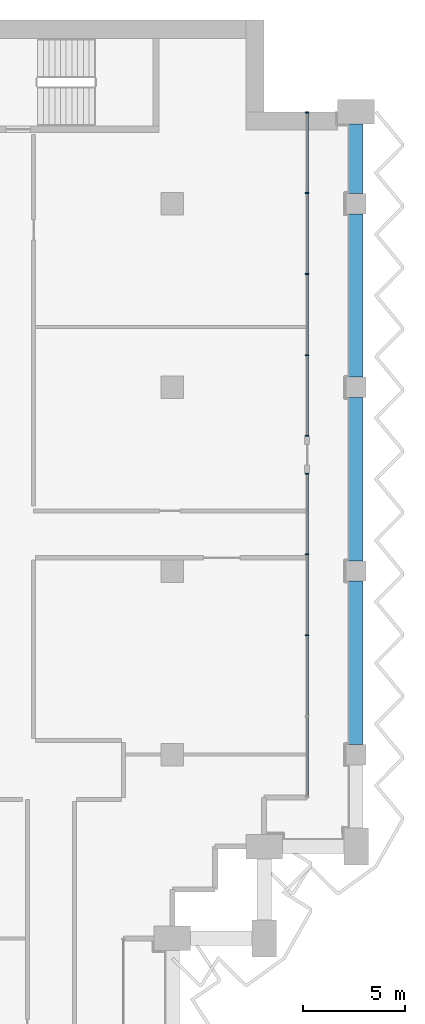
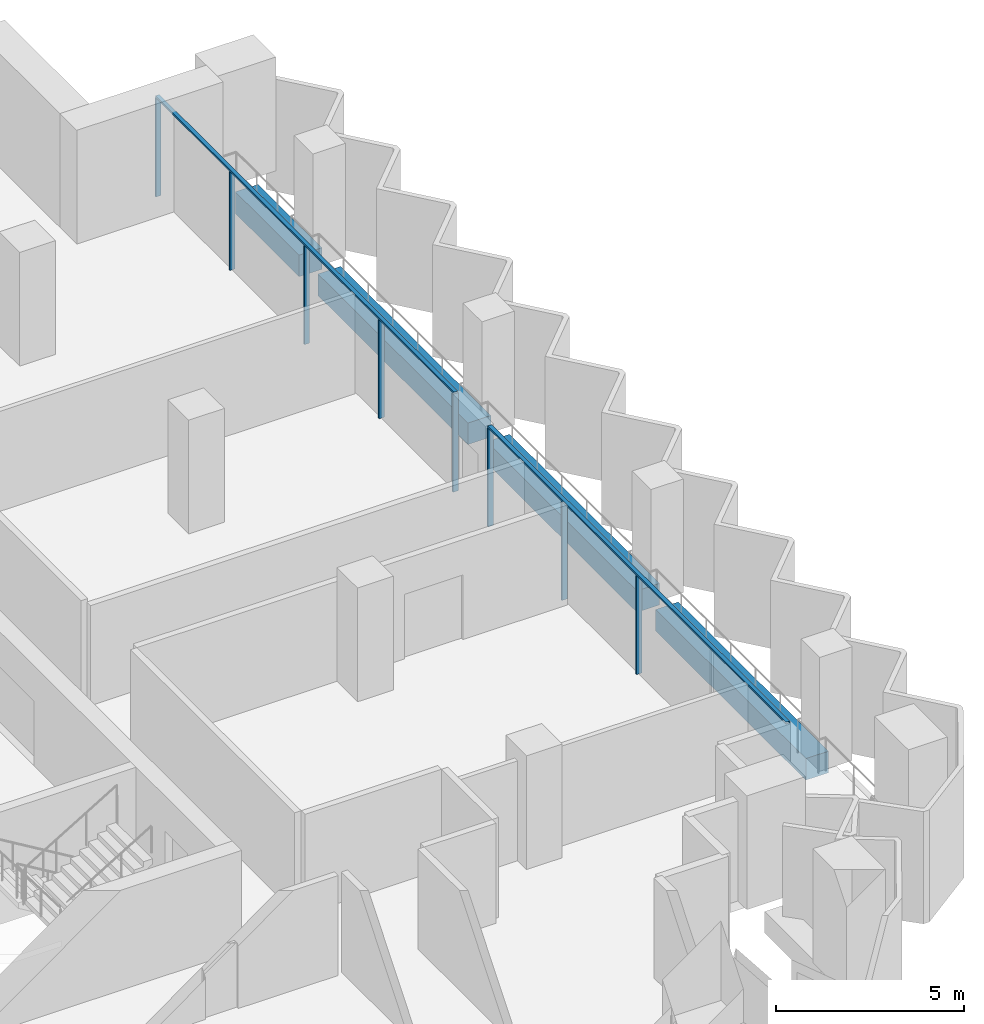
# One storey, part 6 of 18: 10 members, 4 beams, 2 elements without a shape of their own.
"""IFC4 building model written with IfcOpenShell, lengths in metres."""

from ifc_helpers import new_model, si_unit, direction, frame, origin, origin_2d, place, context, subcontext, project, spatial, rectangle, extrude, material, material_profile, profile_set, type_object, element, aggregate, save


model = new_model("IFC4")

# Units and contexts
model_context = context("Model", 3, precision=1e-05, world=origin(), true_north=direction((0.0, 1.0)))
body_context = subcontext(model_context, "Body", "Model", "MODEL_VIEW")
ifc_project = project(units=[si_unit("LENGTHUNIT", "METRE"), si_unit("AREAUNIT", "SQUARE_METRE"), si_unit("VOLUMEUNIT", "CUBIC_METRE"), si_unit("PLANEANGLEUNIT", "RADIAN"), si_unit("MASSUNIT", "GRAM", prefix="KILO")], contexts=[model_context])

# Site, building, storey
site_placement = place(None, origin())
site = spatial("IfcSite", under=ifc_project, at=site_placement, CompositionType="ELEMENT")
building_placement = place(site_placement, origin())
building = spatial("IfcBuilding", under=site, at=building_placement, Name="Hunhe Ridgeline Campus", CompositionType="ELEMENT")
storey_placement = place(building_placement, frame((0.0, 0.0, 223.5)))
storey = spatial("IfcBuildingStorey", under=building, at=storey_placement, Name="L57", CompositionType="ELEMENT", Elevation=223.5)

# Curtain wall, members
ifc_material_1 = material(Name="Aluminium 6063", Category="aluminium")
curtain_wall_type = type_object("IfcCurtainWallType", Name="Curtain wall CW-1", PredefinedType="NOTDEFINED", material=ifc_material_1)
curtain_wall_1_placement = place(storey_placement, origin())
curtain_wall_1 = element("IfcCurtainWall", 1, at=curtain_wall_1_placement, inside=storey, type_object=curtain_wall_type, Name="Curtain wall 12", PredefinedType="NOTDEFINED")
ifc_material_profile_1 = material_profile(ifc_material_1, rectangle(XDim=0.159912109375, YDim=0.06005859375, at=origin_2d()))
ifc_profile_set_1 = profile_set([ifc_material_profile_1], Name="Aluminium 6063")
member_type_1 = type_object("IfcMemberType", Name="CW-1 aluminium mullion", PredefinedType="MULLION", material=ifc_profile_set_1)
member_1_placement = place(storey_placement, frame((51.59912109375, 68.850830078125, 0.0), z_axis=(0.0, 0.0, 1.0), x_axis=(-1.0, 0.0, 0.0)))
member_1 = element("IfcMember", 2, at=member_1_placement, type_object=member_type_1, Name="CW-1 mullion 3", PredefinedType="MULLION", context=body_context, shape_type="SweptSolid", body=[
    extrude(rectangle(XDim=0.159912109375, YDim=0.06005859375, at=origin_2d()), origin(), (0.0, 0.0, 1.0), 3.18994140625),
])
member_2_placement = place(storey_placement, frame((51.59912109375, 72.82568359375, 0.0), z_axis=(0.0, 0.0, 1.0), x_axis=(-1.0, 0.0, 0.0)))
member_2 = element("IfcMember", 3, at=member_2_placement, type_object=member_type_1, Name="CW-1 mullion 4", PredefinedType="MULLION", context=body_context, shape_type="SweptSolid", body=[
    extrude(rectangle(XDim=0.159912109375, YDim=0.06005859375, at=origin_2d()), origin(), (0.0, 0.0, 1.0), 3.18994140625),
])
member_3_placement = place(storey_placement, frame((51.59912109375, 76.7705078125, 0.0), z_axis=(0.0, 0.0, 1.0), x_axis=(-1.0, 0.0, 0.0)))
member_3 = element("IfcMember", 4, at=member_3_placement, type_object=member_type_1, Name="CW-1 mullion 5", PredefinedType="MULLION", context=body_context, shape_type="SweptSolid", body=[
    extrude(rectangle(XDim=0.159912109375, YDim=0.06005859375, at=origin_2d()), origin(), (0.0, 0.0, 1.0), 3.18994140625),
])

curtain_wall_2_placement = place(storey_placement, origin())
curtain_wall_2 = element("IfcCurtainWall", 5, at=curtain_wall_2_placement, inside=storey, type_object=curtain_wall_type, Name="Curtain wall 13", PredefinedType="NOTDEFINED")
member_4_placement = place(storey_placement, frame((51.59912109375, 78.630615234375, 0.0), z_axis=(0.0, 0.0, 1.0), x_axis=(-1.0, 0.0, 0.0)))
member_4 = element("IfcMember", 6, at=member_4_placement, type_object=member_type_1, Name="CW-1 mullion 1", PredefinedType="MULLION", context=body_context, shape_type="SweptSolid", body=[
    extrude(rectangle(XDim=0.159912109375, YDim=0.06005859375, at=origin_2d()), origin(), (0.0, 0.0, 1.0), 3.18994140625),
])
member_5_placement = place(storey_placement, frame((51.59912109375, 82.575439453125, 0.0), z_axis=(0.0, 0.0, 1.0), x_axis=(-1.0, 0.0, 0.0)))
member_5 = element("IfcMember", 7, at=member_5_placement, type_object=member_type_1, Name="CW-1 mullion 2", PredefinedType="MULLION", context=body_context, shape_type="SweptSolid", body=[
    extrude(rectangle(XDim=0.159912109375, YDim=0.06005859375, at=origin_2d()), origin(), (0.0, 0.0, 1.0), 3.18994140625),
])
member_6_placement = place(storey_placement, frame((51.59912109375, 86.55029296875, 0.0), z_axis=(0.0, 0.0, 1.0), x_axis=(-1.0, 0.0, 0.0)))
member_6 = element("IfcMember", 8, at=member_6_placement, type_object=member_type_1, Name="CW-1 mullion 3", PredefinedType="MULLION", context=body_context, shape_type="SweptSolid", body=[
    extrude(rectangle(XDim=0.159912109375, YDim=0.06005859375, at=origin_2d()), origin(), (0.0, 0.0, 1.0), 3.18994140625),
])
member_7_placement = place(storey_placement, frame((51.59912109375, 90.525146484375, 0.0), z_axis=(0.0, 0.0, 1.0), x_axis=(-1.0, 0.0, 0.0)))
member_7 = element("IfcMember", 9, at=member_7_placement, type_object=member_type_1, Name="CW-1 mullion 4", PredefinedType="MULLION", context=body_context, shape_type="SweptSolid", body=[
    extrude(rectangle(XDim=0.159912109375, YDim=0.06005859375, at=origin_2d()), origin(), (0.0, 0.0, 1.0), 3.18994140625),
])
member_8_placement = place(storey_placement, frame((51.59912109375, 94.469970703125, 0.0), z_axis=(0.0, 0.0, 1.0), x_axis=(-1.0, 0.0, 0.0)))
member_8 = element("IfcMember", 10, at=member_8_placement, type_object=member_type_1, Name="CW-1 mullion 5", PredefinedType="MULLION", context=body_context, shape_type="SweptSolid", body=[
    extrude(rectangle(XDim=0.159912109375, YDim=0.06005859375, at=origin_2d()), origin(), (0.0, 0.0, 1.0), 3.18994140625),
])

# Member
ifc_material_profile_2 = material_profile(ifc_material_1, rectangle(XDim=0.1201171875, YDim=0.06005859375, at=origin_2d()))
ifc_profile_set_2 = profile_set([ifc_material_profile_2], Name="Aluminium 6063")
member_type_2 = type_object("IfcMemberType", Name="CW-1 aluminium transom", PredefinedType="USERDEFINED", material=ifc_profile_set_2)
member_9_placement = place(storey_placement, frame((51.59912109375, 60.90087890625, 3.219970703125), z_axis=(0.0, 1.0, 0.0), x_axis=(-1.0, 0.0, 0.0)))
member_9 = element("IfcMember", 11, at=member_9_placement, type_object=member_type_2, Name="CW-1 transom 1", ObjectType="TRANSOM", PredefinedType="USERDEFINED", context=body_context, shape_type="SweptSolid", body=[
    extrude(rectangle(XDim=0.1201171875, YDim=0.06005859375, at=origin_2d()), origin(), (0.0, 0.0, 1.0), 15.899658203125),
])

aggregate(curtain_wall_1, [member_9, member_1, member_2, member_3])

member_10_placement = place(storey_placement, frame((51.59912109375, 78.6005859375, 3.219970703125), z_axis=(0.0, 1.0, 0.0), x_axis=(-1.0, 0.0, 0.0)))
member_10 = element("IfcMember", 12, at=member_10_placement, type_object=member_type_2, Name="CW-1 transom 1", ObjectType="TRANSOM", PredefinedType="USERDEFINED", context=body_context, shape_type="SweptSolid", body=[
    extrude(rectangle(XDim=0.1201171875, YDim=0.06005859375, at=origin_2d()), origin(), (0.0, 0.0, 1.0), 15.8994140625),
])

aggregate(curtain_wall_2, [member_10, member_4, member_5, member_6, member_7, member_8])

# Beams
ifc_material_2 = material(Name="Concrete C50", Category="concrete")
ifc_material_profile_3 = material_profile(ifc_material_2, rectangle(XDim=0.699951171875, YDim=0.699951171875, at=origin_2d()))
ifc_profile_set_3 = profile_set([ifc_material_profile_3], Name="Concrete C50")
beam_type = type_object("IfcBeamType", Name="RC spandrel beam 700x700 Concrete C50", PredefinedType="SPANDREL", material=ifc_profile_set_3)
for number, where, z_axis, x_axis, name in (
    (13, (54.0, 63.5, -0.60009765625), (0.0, 1.0, 0.0), (-1.0, 0.0, 0.0), "Spandrel beam B3-15 L57"),
    (14, (54.0, 72.5, -0.60009765625), (0.0, 1.0, 0.0), (-1.0, 0.0, 0.0), "Spandrel beam B3-16 L57"),
    (15, (54.0, 81.5, -0.60009765625), (0.0, 1.0, 0.0), (-1.0, 0.0, 0.0), "Spandrel beam B3-17 L57"),
):
    element("IfcBeam", number, at=place(storey_placement, frame(where, z_axis=z_axis, x_axis=x_axis)), inside=storey, type_object=beam_type, Name=name, PredefinedType="SPANDREL", context=body_context, shape_type="SweptSolid", body=[
        extrude(rectangle(XDim=0.699951171875, YDim=0.699951171875, at=origin_2d()), origin(), (0.0, 0.0, 1.0), 8.0),
    ])
beam_placement = place(storey_placement, frame((54.0, 90.5, -0.60009765625), z_axis=(0.0, 1.0, 0.0), x_axis=(-1.0, 0.0, 0.0)))
element("IfcBeam", 16, at=beam_placement, inside=storey, type_object=beam_type, Name="Spandrel beam B3-18 L57", PredefinedType="SPANDREL", context=body_context, shape_type="SweptSolid", body=[
    extrude(rectangle(XDim=0.699951171875, YDim=0.699951171875, at=origin_2d()), origin(), (0.0, 0.0, 1.0), 3.39990234375),
])

save(model, "model.ifc")
